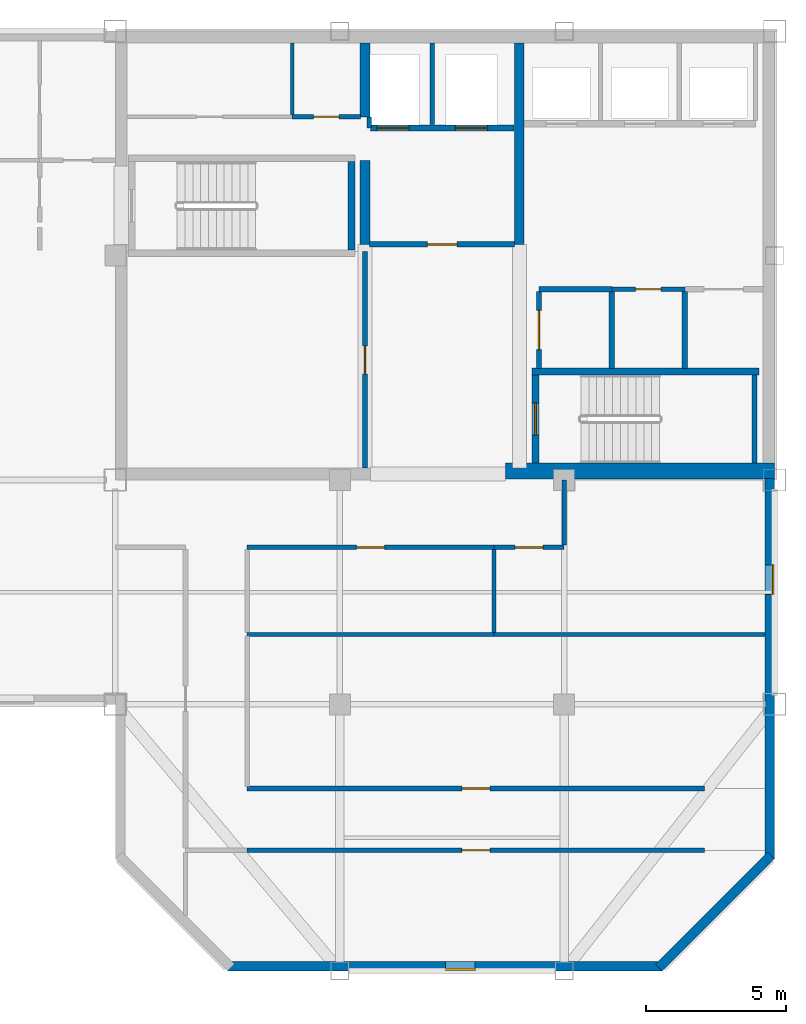
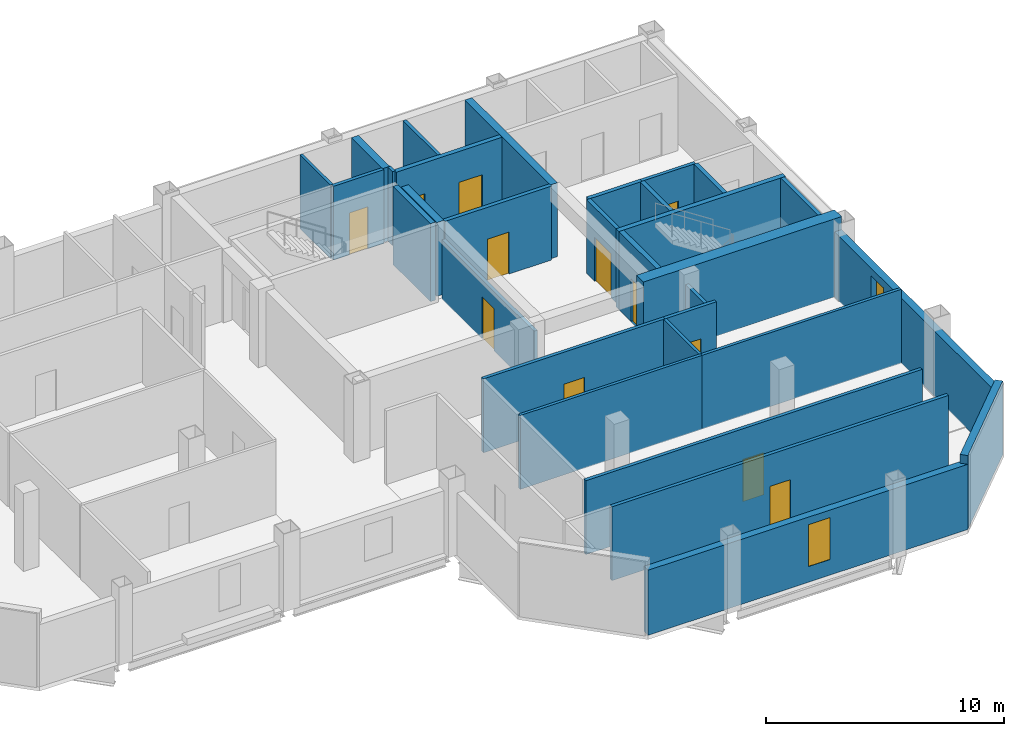
# One storey, part 3 of 7: 31 walls, 12 doors, 2 windows, 14 openings.
"""IFC4 building model written with IfcOpenShell, lengths in metres."""

from ifc_helpers import new_model, si_unit, direction, frame, frame_2d, origin, place, context, subcontext, project, spatial, rectangle, extrude, material, layer, layer_set, type_object, element, fill, save


model = new_model("IFC4")

# Units and contexts
model_context = context("Model", 3, precision=1e-05, world=origin(), true_north=direction((0.0, 1.0)))
body_context = subcontext(model_context, "Body", "Model", "MODEL_VIEW")
ifc_project = project(units=[si_unit("LENGTHUNIT", "METRE"), si_unit("AREAUNIT", "SQUARE_METRE"), si_unit("VOLUMEUNIT", "CUBIC_METRE"), si_unit("PLANEANGLEUNIT", "RADIAN"), si_unit("MASSUNIT", "GRAM", prefix="KILO")], contexts=[model_context])

# Site, building, storey
site_placement = place(None, origin())
site = spatial("IfcSite", under=ifc_project, at=site_placement, CompositionType="ELEMENT")
building_placement = place(site_placement, origin())
building = spatial("IfcBuilding", under=site, at=building_placement, Name="Qianrong Seaharbour Tower", CompositionType="ELEMENT")
storey_placement = place(building_placement, frame((0.0, 0.0, 339.199951171875)))
storey = spatial("IfcBuildingStorey", under=building, at=storey_placement, Name="L82", CompositionType="ELEMENT", Elevation=339.199951171875)

# Walls
ifc_material_1 = material(Name="Concrete C70/85", Category="concrete")
ifc_layer_1 = layer(ifc_material_1, 0.580078125)
ifc_layer_set_1 = layer_set([ifc_layer_1], Name="Concrete C70/85")
wall_type_1 = type_object("IfcWallType", Name="WALL-CORE-580", PredefinedType="SHEAR", material=ifc_layer_set_1)
wall_1_placement = place(storey_placement, frame((54.39990234375, 36.320068359375, 0.0), z_axis=(0.0, 0.0, 1.0), x_axis=(1.0, 0.0, 0.0)))
element("IfcWall", 1, at=wall_1_placement, inside=storey, type_object=wall_type_1, Name="L82 South Core Shear Wall S3", PredefinedType="SHEAR", context=body_context, shape_type="SweptSolid", body=[
    extrude(rectangle(XDim=9.60009765625, YDim=0.580078125, at=frame_2d((4.800048828125, 0.0))), origin(), (0.0, 0.0, 1.0), 4.0),
])
ifc_material_2 = material(Name="Concrete C50/60", Category="concrete")
ifc_layer_2 = layer(ifc_material_2, 0.35009765625)
ifc_layer_set_2 = layer_set([ifc_layer_2], Name="Concrete C50/60")
wall_type_2 = type_object("IfcWallType", Name="WALL-CORE-INT-350", PredefinedType="SHEAR", material=ifc_layer_set_2)
wall_2_placement = place(storey_placement, frame((49.39990234375, 44.39990234375, 0.0), z_axis=(0.0, 0.0, 1.0), x_axis=(0.0, 1.0, 0.0)))
element("IfcWall", 2, at=wall_2_placement, inside=storey, type_object=wall_type_2, Name="L82 Internal Core Shear Wall IW1N1", PredefinedType="SHEAR", context=body_context, shape_type="SweptSolid", body=[
    extrude(rectangle(XDim=3.0, YDim=0.35009765625, at=frame_2d((1.5, 0.0))), origin(), (0.0, 0.0, 1.0), 3.78515625),
])
wall_3_placement = place(storey_placement, frame((49.39990234375, 48.949951171875, 0.0), z_axis=(0.0, 0.0, 1.0), x_axis=(0.0, 1.0, 0.0)))
element("IfcWall", 3, at=wall_3_placement, inside=storey, type_object=wall_type_2, Name="L82 Internal Core Shear Wall IW1N2", PredefinedType="SHEAR", context=body_context, shape_type="SweptSolid", body=[
    extrude(rectangle(XDim=2.630126953125, YDim=0.35009765625, at=frame_2d((1.31494140625, 0.0))), origin(), (0.0, 0.0, 1.0), 3.78515625),
])
wall_4_placement = place(storey_placement, frame((54.89990234375, 44.39990234375, 0.0), z_axis=(0.0, 0.0, 1.0), x_axis=(0.0, 1.0, 0.0)))
element("IfcWall", 4, at=wall_4_placement, inside=storey, type_object=wall_type_2, Name="L82 Internal Core Shear Wall IW2N", PredefinedType="SHEAR", context=body_context, shape_type="SweptSolid", body=[
    extrude(rectangle(XDim=7.18017578125, YDim=0.35009765625, at=frame_2d((3.590087890625, 0.0))), origin(), (0.0, 0.0, 1.0), 3.78515625),
])

# Wall, opening, door
ifc_material_3 = material(Name="Fire-rated acoustic gypsum board partition")
ifc_layer_3 = layer(ifc_material_3, 0.1650390625)
ifc_layer_set_3 = layer_set([ifc_layer_3], Name="Fire-rated acoustic gypsum board partition")
wall_type_3 = type_object("IfcWallType", Name="WALL-CORR-PART-165", PredefinedType="PARTITIONING", material=ifc_layer_set_3)
wall_5_placement = place(storey_placement, frame((46.800048828125, 48.949951171875, 0.0), z_axis=(0.0, 0.0, 1.0), x_axis=(1.0, 0.0, 0.0)))
wall_5 = element("IfcWall", 5, at=wall_5_placement, inside=storey, type_object=wall_type_3, Name="L82 Interior Partition Wall 008", PredefinedType="PARTITIONING", context=body_context, shape_type="SweptSolid", body=[
    extrude(rectangle(XDim=2.432861328125, YDim=0.1650390625, at=frame_2d((1.21630859375, 0.0))), origin(), (0.0, 0.0, 1.0), 3.78515625),
])
opening_1_placement = place(wall_5_placement, frame((0.7666015625, 0.0, 0.0)))
opening_1 = element("IfcOpeningElement", 6, at=opening_1_placement, cuts=wall_5, Name="Opening DS-01", PredefinedType="OPENING", context=body_context, shape_type="SweptSolid", body=[
    extrude(rectangle(XDim=0.89990234375, YDim=2.14990234375, at=frame_2d((0.449951171875, 1.074951171875))), frame((0.0, 0.092529296875, 0.0), z_axis=(0.0, -1.0, 0.0), x_axis=(1.0, 0.0, 0.0)), (0.0, 0.0, 1.0), 0.18505859375),
])
ifc_material_4 = material(Name="Acoustic timber and galvanized steel fire door assembly", Category="steel")
door_type_1 = type_object("IfcDoorType", Name="DOOR-STORE-900x2150", OperationType="NOTDEFINED", PredefinedType="DOOR", material=ifc_material_4)
door_1_placement = place(opening_1_placement, origin())
door_1 = element("IfcDoor", 7, at=door_1_placement, inside=storey, type_object=door_type_1, Name="L82 Janitor Store Room Door", OperationType="SINGLE_SWING_RIGHT", OverallHeight=2.14990234375, OverallWidth=0.89990234375, PredefinedType="DOOR", context=body_context, shape_type="SweptSolid", body=[
    extrude(rectangle(XDim=0.89990234375, YDim=2.14990234375, at=frame_2d((0.449951171875, 1.074951171875))), frame((0.0, 0.02490234375, 0.0), z_axis=(0.0, -1.0, 0.0), x_axis=(1.0, 0.0, 0.0)), (0.0, 0.0, 1.0), 0.050048828125),
])
fill(opening_1, door_1)

wall_6_placement = place(storey_placement, frame((49.39990234375, 36.419921875, 0.0), z_axis=(0.0, 0.0, 1.0), x_axis=(0.0, 1.0, 0.0)))
wall_6 = element("IfcWall", 8, at=wall_6_placement, inside=storey, type_object=wall_type_3, Name="L82 Interior Partition Wall 010", PredefinedType="PARTITIONING", context=body_context, shape_type="SweptSolid", body=[
    extrude(rectangle(XDim=7.72998046875, YDim=0.1650390625, at=frame_2d((3.864990234375, 0.0))), origin(), (0.0, 0.0, 1.0), 3.027099609375),
])
opening_2_placement = place(wall_6_placement, frame((3.364990234375, 0.0, 0.0)))
opening_2 = element("IfcOpeningElement", 9, at=opening_2_placement, cuts=wall_6, Name="Opening DO-01", PredefinedType="OPENING", context=body_context, shape_type="SweptSolid", body=[
    extrude(rectangle(XDim=1.0, YDim=2.14990234375, at=frame_2d((0.5, 1.074951171875))), frame((0.0, 0.092529296875, 0.0), z_axis=(0.0, -1.0, 0.0), x_axis=(1.0, 0.0, 0.0)), (0.0, 0.0, 1.0), 0.18505859375),
])
door_type_2 = type_object("IfcDoorType", Name="DOOR-OFFICE-1000x2150", OperationType="NOTDEFINED", PredefinedType="DOOR", material=ifc_material_4)
door_2_placement = place(opening_2_placement, origin())
door_2 = element("IfcDoor", 10, at=door_2_placement, inside=storey, type_object=door_type_2, Name="L82 Data Systems Office Door", OperationType="SINGLE_SWING_RIGHT", OverallHeight=2.14990234375, OverallWidth=1.0, PredefinedType="DOOR", context=body_context, shape_type="SweptSolid", body=[
    extrude(rectangle(XDim=1.0, YDim=2.14990234375, at=frame_2d((0.5, 1.074951171875))), frame((0.0, 0.02490234375, 0.0), z_axis=(0.0, -1.0, 0.0), x_axis=(1.0, 0.0, 0.0)), (0.0, 0.0, 1.0), 0.050048828125),
])
fill(opening_2, door_2)

wall_7_placement = place(storey_placement, frame((60.800048828125, 42.800048828125, 0.0), z_axis=(0.0, 0.0, 1.0), x_axis=(-1.0, 0.0, 0.0)))
wall_7 = element("IfcWall", 11, at=wall_7_placement, inside=storey, type_object=wall_type_3, Name="L82 Interior Partition Wall 013", PredefinedType="PARTITIONING", context=body_context, shape_type="SweptSolid", body=[
    extrude(rectangle(XDim=2.60009765625, YDim=0.1650390625, at=frame_2d((1.300048828125, 0.0))), origin(), (0.0, 0.0, 1.0), 3.78515625),
])
opening_3_placement = place(wall_7_placement, frame((0.85009765625, 0.0, 0.0)))
opening_3 = element("IfcOpeningElement", 12, at=opening_3_placement, cuts=wall_7, Name="Opening DS-01", PredefinedType="OPENING", context=body_context, shape_type="SweptSolid", body=[
    extrude(rectangle(XDim=0.89990234375, YDim=2.14990234375, at=frame_2d((0.449951171875, 1.074951171875))), frame((0.0, 0.092529296875, 0.0), z_axis=(0.0, -1.0, 0.0), x_axis=(1.0, 0.0, 0.0)), (0.0, 0.0, 1.0), 0.18505859375),
])
door_3_placement = place(opening_3_placement, origin())
door_3 = element("IfcDoor", 13, at=door_3_placement, inside=storey, type_object=door_type_1, Name="L82 Supply Store Room Door", OperationType="SINGLE_SWING_LEFT", OverallHeight=2.14990234375, OverallWidth=0.89990234375, PredefinedType="DOOR", context=body_context, shape_type="SweptSolid", body=[
    extrude(rectangle(XDim=0.89990234375, YDim=2.14990234375, at=frame_2d((0.449951171875, 1.074951171875))), frame((0.0, 0.02490234375, 0.0), z_axis=(0.0, -1.0, 0.0), x_axis=(1.0, 0.0, 0.0)), (0.0, 0.0, 1.0), 0.050048828125),
])
fill(opening_3, door_3)

wall_8_placement = place(storey_placement, frame((54.0, 33.60009765625, 0.0), z_axis=(0.0, 0.0, 1.0), x_axis=(-1.0, 0.0, 0.0)))
wall_8 = element("IfcWall", 14, at=wall_8_placement, inside=storey, type_object=wall_type_3, Name="L82 Interior Partition Wall 025", PredefinedType="PARTITIONING", context=body_context, shape_type="SweptSolid", body=[
    extrude(rectangle(XDim=8.800048828125, YDim=0.1650390625, at=frame_2d((4.39990234375, 0.0))), origin(), (0.0, 0.0, 1.0), 3.78515625),
])
opening_4_placement = place(wall_8_placement, frame((3.89990234375, 0.0, 0.0)))
opening_4 = element("IfcOpeningElement", 15, at=opening_4_placement, cuts=wall_8, Name="Opening DO-01", PredefinedType="OPENING", context=body_context, shape_type="SweptSolid", body=[
    extrude(rectangle(XDim=1.0, YDim=2.14990234375, at=frame_2d((0.5, 1.074951171875))), frame((0.0, 0.092529296875, 0.0), z_axis=(0.0, -1.0, 0.0), x_axis=(1.0, 0.0, 0.0)), (0.0, 0.0, 1.0), 0.18505859375),
])
door_4_placement = place(opening_4_placement, origin())
door_4 = element("IfcDoor", 16, at=door_4_placement, inside=storey, type_object=door_type_2, Name="L82 Wellness Room 1 Door", OperationType="SINGLE_SWING_RIGHT", OverallHeight=2.14990234375, OverallWidth=1.0, PredefinedType="DOOR", context=body_context, shape_type="SweptSolid", body=[
    extrude(rectangle(XDim=1.0, YDim=2.14990234375, at=frame_2d((0.5, 1.074951171875))), frame((0.0, 0.02490234375, 0.0), z_axis=(0.0, -1.0, 0.0), x_axis=(1.0, 0.0, 0.0)), (0.0, 0.0, 1.0), 0.050048828125),
])
fill(opening_4, door_4)

# Wall
wall_9_placement = place(storey_placement, frame((56.5, 36.0, 0.0), z_axis=(0.0, 0.0, 1.0), x_axis=(0.0, -1.0, 0.0)))
element("IfcWall", 17, at=wall_9_placement, inside=storey, type_object=wall_type_3, Name="L82 Interior Partition Wall 026", PredefinedType="PARTITIONING", context=body_context, shape_type="SweptSolid", body=[
    extrude(rectangle(XDim=2.325439453125, YDim=0.1650390625, at=frame_2d((1.16259765625, 0.0))), origin(), (0.0, 0.0, 1.0), 3.177001953125),
])

# Wall, opening, door
wall_10_placement = place(storey_placement, frame((56.5, 33.60009765625, 0.0), z_axis=(0.0, 0.0, 1.0), x_axis=(-1.0, 0.0, 0.0)))
wall_10 = element("IfcWall", 18, at=wall_10_placement, inside=storey, type_object=wall_type_3, Name="L82 Interior Partition Wall 027", PredefinedType="PARTITIONING", context=body_context, shape_type="SweptSolid", body=[
    extrude(rectangle(XDim=2.5, YDim=0.1650390625, at=frame_2d((1.25, 0.0))), origin(), (0.0, 0.0, 1.0), 3.78515625),
])
opening_5_placement = place(wall_10_placement, frame((0.75, 0.0, 0.0)))
opening_5 = element("IfcOpeningElement", 19, at=opening_5_placement, cuts=wall_10, Name="Opening DO-01", PredefinedType="OPENING", context=body_context, shape_type="SweptSolid", body=[
    extrude(rectangle(XDim=1.0, YDim=2.14990234375, at=frame_2d((0.5, 1.074951171875))), frame((0.0, 0.092529296875, 0.0), z_axis=(0.0, -1.0, 0.0), x_axis=(1.0, 0.0, 0.0)), (0.0, 0.0, 1.0), 0.18505859375),
])
door_5_placement = place(opening_5_placement, origin())
door_5 = element("IfcDoor", 20, at=door_5_placement, inside=storey, type_object=door_type_2, Name="L82 Health Director Office 2 Door", OperationType="SINGLE_SWING_LEFT", OverallHeight=2.14990234375, OverallWidth=1.0, PredefinedType="DOOR", context=body_context, shape_type="SweptSolid", body=[
    extrude(rectangle(XDim=1.0, YDim=2.14990234375, at=frame_2d((0.5, 1.074951171875))), frame((0.0, 0.02490234375, 0.0), z_axis=(0.0, -1.0, 0.0), x_axis=(1.0, 0.0, 0.0)), (0.0, 0.0, 1.0), 0.050048828125),
])
fill(opening_5, door_5)

wall_11_placement = place(storey_placement, frame((61.5, 22.800048828125, 0.0), z_axis=(0.0, 0.0, 1.0), x_axis=(-1.0, 0.0, 0.0)))
wall_11 = element("IfcWall", 21, at=wall_11_placement, inside=storey, type_object=wall_type_3, Name="L82 Interior Partition Wall 033", PredefinedType="PARTITIONING", context=body_context, shape_type="SweptSolid", body=[
    extrude(rectangle(XDim=16.300048828125, YDim=0.1650390625, at=frame_2d((8.14990234375, 0.0))), origin(), (0.0, 0.0, 1.0), 3.78515625),
])
opening_6_placement = place(wall_11_placement, frame((7.64990234375, 0.0, 0.0)))
opening_6 = element("IfcOpeningElement", 22, at=opening_6_placement, cuts=wall_11, Name="Opening DO-01", PredefinedType="OPENING", context=body_context, shape_type="SweptSolid", body=[
    extrude(rectangle(XDim=1.0, YDim=2.14990234375, at=frame_2d((0.5, 1.074951171875))), frame((0.0, 0.092529296875, 0.0), z_axis=(0.0, -1.0, 0.0), x_axis=(1.0, 0.0, 0.0)), (0.0, 0.0, 1.0), 0.18505859375),
])
door_6_placement = place(opening_6_placement, origin())
door_6 = element("IfcDoor", 23, at=door_6_placement, inside=storey, type_object=door_type_2, Name="L82 South Tip Open-Plan Office Door", OperationType="SINGLE_SWING_RIGHT", OverallHeight=2.14990234375, OverallWidth=1.0, PredefinedType="DOOR", context=body_context, shape_type="SweptSolid", body=[
    extrude(rectangle(XDim=1.0, YDim=2.14990234375, at=frame_2d((0.5, 1.074951171875))), frame((0.0, 0.02490234375, 0.0), z_axis=(0.0, -1.0, 0.0), x_axis=(1.0, 0.0, 0.0)), (0.0, 0.0, 1.0), 0.050048828125),
])
fill(opening_6, door_6)

wall_12_placement = place(storey_placement, frame((45.199951171875, 25.0, 0.0), z_axis=(0.0, 0.0, 1.0), x_axis=(1.0, 0.0, 0.0)))
wall_12 = element("IfcWall", 24, at=wall_12_placement, inside=storey, type_object=wall_type_3, Name="L82 Interior Partition Wall 034", PredefinedType="PARTITIONING", context=body_context, shape_type="SweptSolid", body=[
    extrude(rectangle(XDim=16.300048828125, YDim=0.1650390625, at=frame_2d((8.14990234375, 0.0))), origin(), (0.0, 0.0, 1.0), 3.78515625),
])
opening_7_placement = place(wall_12_placement, frame((7.64990234375, 0.0, 0.0)))
opening_7 = element("IfcOpeningElement", 25, at=opening_7_placement, cuts=wall_12, Name="Opening DO-01", PredefinedType="OPENING", context=body_context, shape_type="SweptSolid", body=[
    extrude(rectangle(XDim=1.0, YDim=2.14990234375, at=frame_2d((0.5, 1.074951171875))), frame((0.0, 0.092529296875, 0.0), z_axis=(0.0, -1.0, 0.0), x_axis=(1.0, 0.0, 0.0)), (0.0, 0.0, 1.0), 0.18505859375),
])
door_7_placement = place(opening_7_placement, origin())
door_7 = element("IfcDoor", 26, at=door_7_placement, inside=storey, type_object=door_type_2, Name="L82 Operations Open-Plan Office Door", OperationType="SINGLE_SWING_LEFT", OverallHeight=2.14990234375, OverallWidth=1.0, PredefinedType="DOOR", context=body_context, shape_type="SweptSolid", body=[
    extrude(rectangle(XDim=1.0, YDim=2.14990234375, at=frame_2d((0.5, 1.074951171875))), frame((0.0, 0.02490234375, 0.0), z_axis=(0.0, -1.0, 0.0), x_axis=(1.0, 0.0, 0.0)), (0.0, 0.0, 1.0), 0.050048828125),
])
fill(opening_7, door_7)

# Wall, opening, window
ifc_material_5 = material(Name="Unitised buff brick on Precast concrete C45/55", Category="masonry")
ifc_layer_4 = layer(ifc_material_5, 0.340087890625)
ifc_layer_set_4 = layer_set([ifc_layer_4], Name="Unitised buff brick on Precast concrete C45/55")
wall_type_4 = type_object("IfcWallType", Name="WALL-EXT-BRICK-BUFF-340", PredefinedType="SOLIDWALL", material=ifc_layer_set_4)
wall_13_placement = place(storey_placement, frame((63.830078125, 36.050048828125, 0.0), z_axis=(0.0, 0.0, 1.0), x_axis=(0.0, -1.0, 0.0)))
wall_13 = element("IfcWall", 27, at=wall_13_placement, inside=storey, type_object=wall_type_4, Name="L82 Exterior Masonry Facade Wall EAST_WING", PredefinedType="SOLIDWALL", context=body_context, shape_type="SweptSolid", body=[
    extrude(rectangle(XDim=13.550048828125, YDim=0.340087890625, at=frame_2d((6.77490234375, 0.0))), origin(), (0.0, 0.0, 1.0), 3.3349609375),
])
opening_8_placement = place(wall_13_placement, frame((3.074951171875, 0.0, 0.800048828125)))
opening_8 = element("IfcOpeningElement", 28, at=opening_8_placement, cuts=wall_13, Name="Opening WN-14", PredefinedType="OPENING", context=body_context, shape_type="SweptSolid", body=[
    extrude(rectangle(XDim=1.050048828125, YDim=2.14990234375, at=frame_2d((0.52490234375, 1.074951171875))), frame((0.0, 0.18017578125, 0.0), z_axis=(0.0, -1.0, 0.0), x_axis=(1.0, 0.0, 0.0)), (0.0, 0.0, 1.0), 0.360107421875),
])
ifc_material_6 = material(Name="Insulated low-e double glazing in thermally broken aluminium 6063-T6 frame", Category="aluminium")
window_type = type_object("IfcWindowType", Name="WIN-NARROW-1050x2150", PartitioningType="SINGLE_PANEL", PredefinedType="WINDOW", material=ifc_material_6)
window_1_placement = place(opening_8_placement, origin())
window_1 = element("IfcWindow", 29, at=window_1_placement, inside=storey, type_object=window_type, Name="L82 Deep-Set Punched Window 06.01", OverallHeight=2.14990234375, OverallWidth=1.050048828125, PartitioningType="SINGLE_PANEL", PredefinedType="WINDOW", context=body_context, shape_type="SweptSolid", body=[
    extrude(rectangle(XDim=1.050048828125, YDim=2.14990234375, at=frame_2d((0.52490234375, 1.074951171875))), frame((0.0, 0.150146484375, 0.0), z_axis=(0.0, -1.0, 0.0), x_axis=(1.0, 0.0, 0.0)), (0.0, 0.0, 1.0), 0.06005859375),
])
fill(opening_8, window_1)

# Wall
wall_14_placement = place(storey_placement, frame((63.8798828125, 22.6201171875, 0.0), z_axis=(0.0, 0.0, 1.0), x_axis=(-0.707106781187, -0.707106781187, 0.0)))
element("IfcWall", 30, at=wall_14_placement, inside=storey, type_object=wall_type_4, Name="L82 Exterior Masonry Facade Wall E07", PredefinedType="SOLIDWALL", context=body_context, shape_type="SweptSolid", body=[
    extrude(rectangle(XDim=5.65673828125, YDim=0.340087890625, at=frame_2d((2.828369140625, 0.0))), origin(), (0.0, 0.0, 1.0), 3.78515625),
])

# Wall, opening, window
wall_15_placement = place(storey_placement, frame((60.0, 18.669921875, 0.0), z_axis=(0.0, 0.0, 1.0), x_axis=(-1.0, 0.0, 0.0)))
wall_15 = element("IfcWall", 31, at=wall_15_placement, inside=storey, type_object=wall_type_4, Name="L82 Exterior Masonry Facade Wall SOUTH_TIP", PredefinedType="SOLIDWALL", context=body_context, shape_type="SweptSolid", body=[
    extrude(rectangle(XDim=15.5, YDim=0.340087890625, at=frame_2d((7.75, 0.0))), origin(), (0.0, 0.0, 1.0), 3.3349609375),
])
opening_9_placement = place(wall_15_placement, frame((6.675048828125, 0.0, 0.800048828125)))
opening_9 = element("IfcOpeningElement", 32, at=opening_9_placement, cuts=wall_15, Name="Opening WN-14", PredefinedType="OPENING", context=body_context, shape_type="SweptSolid", body=[
    extrude(rectangle(XDim=1.050048828125, YDim=2.14990234375, at=frame_2d((0.52490234375, 1.074951171875))), frame((0.0, 0.18017578125, 0.0), z_axis=(0.0, -1.0, 0.0), x_axis=(1.0, 0.0, 0.0)), (0.0, 0.0, 1.0), 0.360107421875),
])
window_2_placement = place(opening_9_placement, origin())
window_2 = element("IfcWindow", 33, at=window_2_placement, inside=storey, type_object=window_type, Name="L82 Deep-Set Punched Window 08.02", OverallHeight=2.14990234375, OverallWidth=1.050048828125, PartitioningType="SINGLE_PANEL", PredefinedType="WINDOW", context=body_context, shape_type="SweptSolid", body=[
    extrude(rectangle(XDim=1.050048828125, YDim=2.14990234375, at=frame_2d((0.52490234375, 1.074951171875))), frame((0.0, 0.150146484375, 0.0), z_axis=(0.0, -1.0, 0.0), x_axis=(1.0, 0.0, 0.0)), (0.0, 0.0, 1.0), 0.06005859375),
])
fill(opening_9, window_2)

# Wall, opening, door
ifc_material_7 = material(Name="Double fire-rated gypsum board acoustic partition")
ifc_layer_5 = layer(ifc_material_7, 0.18994140625)
ifc_layer_set_5 = layer_set([ifc_layer_5], Name="Double fire-rated gypsum board acoustic partition")
wall_type_5 = type_object("IfcWallType", Name="WALL-FIRE-PART-190", PredefinedType="PARTITIONING", material=ifc_layer_set_5)
wall_16_placement = place(storey_placement, frame((54.73291015625, 44.39990234375, 0.0), z_axis=(0.0, 0.0, 1.0), x_axis=(-1.0, 0.0, 0.0)))
wall_16 = element("IfcWall", 34, at=wall_16_placement, inside=storey, type_object=wall_type_5, Name="L82 Interior Partition Wall 009", PredefinedType="PARTITIONING", context=body_context, shape_type="SweptSolid", body=[
    extrude(rectangle(XDim=5.166015625, YDim=0.18994140625, at=frame_2d((2.5830078125, 0.0))), origin(), (0.0, 0.0, 1.0), 3.78515625),
])
opening_10_placement = place(wall_16_placement, frame((2.05810546875, 0.0, 0.0)))
opening_10 = element("IfcOpeningElement", 35, at=opening_10_placement, cuts=wall_16, Name="Opening DC-01", PredefinedType="OPENING", context=body_context, shape_type="SweptSolid", body=[
    extrude(rectangle(XDim=1.050048828125, YDim=2.14990234375, at=frame_2d((0.52490234375, 1.074951171875))), frame((0.0, 0.10498046875, 0.0), z_axis=(0.0, -1.0, 0.0), x_axis=(1.0, 0.0, 0.0)), (0.0, 0.0, 1.0), 0.2099609375),
])
door_type_3 = type_object("IfcDoorType", Name="DOOR-CORR-FD60-1050x2150", OperationType="NOTDEFINED", PredefinedType="DOOR", material=ifc_material_4)
door_8_placement = place(opening_10_placement, origin())
door_8 = element("IfcDoor", 36, at=door_8_placement, inside=storey, type_object=door_type_3, Name="L82 Firefighting Lift Lobby Door", OperationType="SINGLE_SWING_LEFT", OverallHeight=2.14990234375, OverallWidth=1.050048828125, PredefinedType="DOOR", context=body_context, shape_type="SweptSolid", body=[
    extrude(rectangle(XDim=1.050048828125, YDim=2.14990234375, at=frame_2d((0.52490234375, 1.074951171875))), frame((0.0, 0.02490234375, 0.0), z_axis=(0.0, -1.0, 0.0), x_axis=(1.0, 0.0, 0.0)), (0.0, 0.0, 1.0), 0.050048828125),
])
fill(opening_10, door_8)

wall_17_placement = place(storey_placement, frame((55.60009765625, 42.712890625, 0.0), z_axis=(0.0, 0.0, 1.0), x_axis=(0.0, -1.0, 0.0)))
wall_17 = element("IfcWall", 37, at=wall_17_placement, inside=storey, type_object=wall_type_5, Name="L82 Interior Partition Wall 011", PredefinedType="PARTITIONING", context=body_context, shape_type="SweptSolid", body=[
    extrude(rectangle(XDim=2.73095703125, YDim=0.18994140625, at=frame_2d((1.365478515625, 0.0))), origin(), (0.0, 0.0, 1.0), 3.78515625),
])
opening_11_placement = place(wall_17_placement, frame((0.66552734375, 0.0, 0.0)))
opening_11 = element("IfcOpeningElement", 38, at=opening_11_placement, cuts=wall_17, Name="Opening DP-01", PredefinedType="OPENING", context=body_context, shape_type="SweptSolid", body=[
    extrude(rectangle(XDim=1.39990234375, YDim=2.25, at=frame_2d((0.699951171875, 1.125))), frame((0.0, 0.10498046875, 0.0), z_axis=(0.0, -1.0, 0.0), x_axis=(1.0, 0.0, 0.0)), (0.0, 0.0, 1.0), 0.2099609375),
])
door_type_4 = type_object("IfcDoorType", Name="DOOR-PLANT-PAIR-1400x2250", OperationType="DOUBLE_DOOR_SINGLE_SWING", PredefinedType="DOOR", material=ifc_material_4)
door_9_placement = place(opening_11_placement, origin())
door_9 = element("IfcDoor", 39, at=door_9_placement, inside=storey, type_object=door_type_4, Name="L82 Core Telecom Room Door", OperationType="DOUBLE_DOOR_SINGLE_SWING", OverallHeight=2.25, OverallWidth=1.39990234375, PredefinedType="DOOR", context=body_context, shape_type="SweptSolid", body=[
    extrude(rectangle(XDim=1.39990234375, YDim=2.25, at=frame_2d((0.699951171875, 1.125))), frame((0.0, 0.02490234375, 0.0), z_axis=(0.0, -1.0, 0.0), x_axis=(1.0, 0.0, 0.0)), (0.0, 0.0, 1.0), 0.050048828125),
])
fill(opening_11, door_9)

# Walls
wall_18_placement = place(storey_placement, frame((58.199951171875, 42.800048828125, 0.0), z_axis=(0.0, 0.0, 1.0), x_axis=(-1.0, 0.0, 0.0)))
element("IfcWall", 40, at=wall_18_placement, inside=storey, type_object=wall_type_5, Name="L82 Interior Partition Wall 012", PredefinedType="PARTITIONING", context=body_context, shape_type="SweptSolid", body=[
    extrude(rectangle(XDim=2.599853515625, YDim=0.18994140625, at=frame_2d((1.2998046875, 0.0))), origin(), (0.0, 0.0, 1.0), 3.78515625),
])
for number, where, z_axis, x_axis, name in (
    (41, (58.199951171875, 42.712890625, 0.0), (0.0, 0.0, 1.0), (0.0, -1.0, 0.0), "L82 Interior Partition Wall 016"),
    (42, (60.800048828125, 42.712890625, 0.0), (0.0, 0.0, 1.0), (0.0, -1.0, 0.0), "L82 Interior Partition Wall 017"),
):
    element("IfcWall", number, at=place(storey_placement, frame(where, z_axis=z_axis, x_axis=x_axis)), inside=storey, type_object=wall_type_5, Name=name, PredefinedType="PARTITIONING", context=body_context, shape_type="SweptSolid", body=[
        extrude(rectangle(XDim=2.73095703125, YDim=0.18994140625, at=frame_2d((1.365478515625, 0.0))), origin(), (0.0, 0.0, 1.0), 3.78515625),
    ])
ifc_material_8 = material(Name="Acoustic gypsum board stud partition")
ifc_layer_6 = layer(ifc_material_8, 0.14501953125)
ifc_layer_set_6 = layer_set([ifc_layer_6], Name="Acoustic gypsum board stud partition")
wall_type_6 = type_object("IfcWallType", Name="WALL-OFFICE-PART-145", PredefinedType="PARTITIONING", material=ifc_layer_set_6)
wall_19_placement = place(storey_placement, frame((45.199951171875, 30.5, 0.0), z_axis=(0.0, 0.0, 1.0), x_axis=(1.0, 0.0, 0.0)))
element("IfcWall", 43, at=wall_19_placement, inside=storey, type_object=wall_type_6, Name="L82 Interior Partition Wall 036", PredefinedType="PARTITIONING", context=body_context, shape_type="SweptSolid", body=[
    extrude(rectangle(XDim=8.800048828125, YDim=0.14501953125, at=frame_2d((4.39990234375, 0.0))), origin(), (0.0, 0.0, 1.0), 3.78515625),
])
wall_20_placement = place(storey_placement, frame((54.0, 30.5, 0.0), z_axis=(0.0, 0.0, 1.0), x_axis=(1.0, 0.0, 0.0)))
element("IfcWall", 44, at=wall_20_placement, inside=storey, type_object=wall_type_6, Name="L82 Interior Partition Wall 037", PredefinedType="PARTITIONING", context=body_context, shape_type="SweptSolid", body=[
    extrude(rectangle(XDim=9.66796875, YDim=0.14501953125, at=frame_2d((4.833984375, 0.0))), origin(), (0.0, 0.0, 1.0), 3.78515625),
])
wall_21_placement = place(storey_placement, frame((54.0, 33.525390625, 0.0), z_axis=(0.0, 0.0, 1.0), x_axis=(0.0, -1.0, 0.0)))
element("IfcWall", 45, at=wall_21_placement, inside=storey, type_object=wall_type_6, Name="L82 Interior Partition Wall 038", PredefinedType="PARTITIONING", context=body_context, shape_type="SweptSolid", body=[
    extrude(rectangle(XDim=2.9609375, YDim=0.14501953125, at=frame_2d((1.48046875, 0.0))), origin(), (0.0, 0.0, 1.0), 3.78515625),
])
ifc_material_9 = material(Name="Fire-rated gypsum board on steel studs", Category="steel")
ifc_layer_7 = layer(ifc_material_9, 0.14990234375)
ifc_layer_set_7 = layer_set([ifc_layer_7], Name="Fire-rated gypsum board on steel studs")
wall_type_7 = type_object("IfcWallType", Name="WALL-SHAFT-DIV-150", PredefinedType="PARTITIONING", material=ifc_layer_set_7)
wall_22_placement = place(storey_placement, frame((51.800048828125, 48.669921875, 0.0), z_axis=(0.0, 0.0, 1.0), x_axis=(0.0, 1.0, 0.0)))
element("IfcWall", 46, at=wall_22_placement, inside=storey, type_object=wall_type_7, Name="L82 Firefighting Lift Shaft Divider Wall", PredefinedType="PARTITIONING", context=body_context, shape_type="SweptSolid", body=[
    extrude(rectangle(XDim=2.91015625, YDim=0.14990234375, at=frame_2d((1.455078125, 0.0))), origin(), (0.0, 0.0, 1.0), 3.78515625),
])
wall_23_placement = place(storey_placement, frame((49.550048828125, 48.550048828125, 0.0), z_axis=(0.0, 0.0, 1.0), x_axis=(0.0, 1.0, 0.0)))
element("IfcWall", 47, at=wall_23_placement, inside=storey, type_object=wall_type_7, Name="L82 Firefighting Lift Shaft West Return Wall", PredefinedType="PARTITIONING", context=body_context, shape_type="SweptSolid", body=[
    extrude(rectangle(XDim=0.39990234375, YDim=0.14990234375, at=frame_2d((0.199951171875, 0.0))), origin(), (0.0, 0.0, 1.0), 3.78515625),
])

# Wall, openings, doors
ifc_layer_8 = layer(ifc_material_9, 0.219970703125)
ifc_layer_set_8 = layer_set([ifc_layer_8], Name="Fire-rated gypsum board on steel studs")
wall_type_8 = type_object("IfcWallType", Name="WALL-SHAFT-GYP220", PredefinedType="PARTITIONING", material=ifc_layer_set_8)
wall_24_placement = place(storey_placement, frame((54.7099609375, 48.550048828125, 0.0), z_axis=(0.0, 0.0, 1.0), x_axis=(-1.0, 0.0, 0.0)))
wall_24 = element("IfcWall", 48, at=wall_24_placement, inside=storey, type_object=wall_type_8, Name="L82 Firefighting Lift Shaft Front Wall", PredefinedType="PARTITIONING", context=body_context, shape_type="SweptSolid", body=[
    extrude(rectangle(XDim=5.119873046875, YDim=0.219970703125, at=frame_2d((2.56005859375, 0.0))), origin(), (0.0, 0.0, 1.0), 3.78515625),
])
opening_12_placement = place(wall_24_placement, frame((3.735107421875, 0.0, 0.0)))
opening_12 = element("IfcOpeningElement", 49, at=opening_12_placement, cuts=wall_24, Name="Opening LD-01", PredefinedType="OPENING", context=body_context, shape_type="SweptSolid", body=[
    extrude(rectangle(XDim=1.14990234375, YDim=2.199951171875, at=frame_2d((0.574951171875, 1.10009765625))), frame((0.0, 0.1201171875, 0.0), z_axis=(0.0, -1.0, 0.0), x_axis=(1.0, 0.0, 0.0)), (0.0, 0.0, 1.0), 0.239990234375),
])
opening_13_placement = place(wall_24_placement, frame((0.93505859375, 0.0, 0.0)))
opening_13 = element("IfcOpeningElement", 50, at=opening_13_placement, cuts=wall_24, Name="Opening LD-01", PredefinedType="OPENING", context=body_context, shape_type="SweptSolid", body=[
    extrude(rectangle(XDim=1.14990234375, YDim=2.199951171875, at=frame_2d((0.574951171875, 1.10009765625))), frame((0.0, 0.1201171875, 0.0), z_axis=(0.0, -1.0, 0.0), x_axis=(1.0, 0.0, 0.0)), (0.0, 0.0, 1.0), 0.239990234375),
])
ifc_material_10 = material(Name="Stainless steel SUS316L bi-parting lift landing door", Category="steel")
door_type_5 = type_object("IfcDoorType", Name="DOOR-LIFT-FF-1150x2200", OperationType="DOUBLE_DOOR_SLIDING", PredefinedType="DOOR", material=ifc_material_10)
door_10_placement = place(opening_12_placement, origin())
door_10 = element("IfcDoor", 51, at=door_10_placement, inside=storey, type_object=door_type_5, Name="L82 FL-1 Firefighting Lift Landing Door", OperationType="DOUBLE_DOOR_SLIDING", OverallHeight=2.199951171875, OverallWidth=1.14990234375, PredefinedType="DOOR", context=body_context, shape_type="SweptSolid", body=[
    extrude(rectangle(XDim=1.14990234375, YDim=2.199951171875, at=frame_2d((0.574951171875, 1.10009765625))), frame((0.0, 0.02490234375, 0.0), z_axis=(0.0, -1.0, 0.0), x_axis=(1.0, 0.0, 0.0)), (0.0, 0.0, 1.0), 0.050048828125),
])
fill(opening_12, door_10)
door_11_placement = place(opening_13_placement, origin())
door_11 = element("IfcDoor", 52, at=door_11_placement, inside=storey, type_object=door_type_5, Name="L82 FL-2 Firefighting Lift Landing Door", OperationType="DOUBLE_DOOR_SLIDING", OverallHeight=2.199951171875, OverallWidth=1.14990234375, PredefinedType="DOOR", context=body_context, shape_type="SweptSolid", body=[
    extrude(rectangle(XDim=1.14990234375, YDim=2.199951171875, at=frame_2d((0.574951171875, 1.10009765625))), frame((0.0, 0.02490234375, 0.0), z_axis=(0.0, -1.0, 0.0), x_axis=(1.0, 0.0, 0.0)), (0.0, 0.0, 1.0), 0.050048828125),
])
fill(opening_13, door_11)

# Walls
ifc_layer_9 = layer(ifc_material_2, 0.239990234375)
ifc_layer_set_9 = layer_set([ifc_layer_9], Name="Concrete C50/60")
wall_type_9 = type_object("IfcWallType", Name="WALL-SHAFT-RC240", PredefinedType="SOLIDWALL", material=ifc_layer_set_9)
wall_25_placement = place(storey_placement, frame((48.919921875, 44.199951171875, 0.0), z_axis=(0.0, 0.0, 1.0), x_axis=(0.0, 1.0, 0.0)))
element("IfcWall", 53, at=wall_25_placement, inside=storey, type_object=wall_type_9, Name="L82 ST-1 Structural Stair Core Wall E", PredefinedType="SOLIDWALL", context=body_context, shape_type="SweptSolid", body=[
    extrude(rectangle(XDim=3.150146484375, YDim=0.239990234375, at=frame_2d((1.5751953125, 0.0))), origin(), (0.0, 0.0, 1.0), 4.0),
])
wall_26_placement = place(storey_placement, frame((55.360107421875, 39.8701171875, 0.0), z_axis=(0.0, 0.0, 1.0), x_axis=(1.0, 0.0, 0.0)))
element("IfcWall", 54, at=wall_26_placement, inside=storey, type_object=wall_type_9, Name="L82 ST-2 Structural Stair Core Wall N", PredefinedType="SOLIDWALL", context=body_context, shape_type="SweptSolid", body=[
    extrude(rectangle(XDim=8.079833984375, YDim=0.239990234375, at=frame_2d((4.0400390625, 0.0))), origin(), (0.0, 0.0, 1.0), 4.0),
])

# Wall, opening, door
wall_27_placement = place(storey_placement, frame((55.47998046875, 39.75, 0.0), z_axis=(0.0, 0.0, 1.0), x_axis=(0.0, -1.0, 0.0)))
wall_27 = element("IfcWall", 55, at=wall_27_placement, inside=storey, type_object=wall_type_9, Name="L82 ST-2 Structural Stair Core Wall W", PredefinedType="SOLIDWALL", context=body_context, shape_type="SweptSolid", body=[
    extrude(rectangle(XDim=3.14990234375, YDim=0.239990234375, at=frame_2d((1.574951171875, 0.0))), origin(), (0.0, 0.0, 1.0), 4.0),
])
opening_14_placement = place(wall_27_placement, frame((1.0, 0.0, 0.0)))
opening_14 = element("IfcOpeningElement", 56, at=opening_14_placement, cuts=wall_27, Name="Opening SD-01", PredefinedType="OPENING", context=body_context, shape_type="SweptSolid", body=[
    extrude(rectangle(XDim=1.14990234375, YDim=2.199951171875, at=frame_2d((0.574951171875, 1.10009765625))), frame((0.0, 0.1298828125, 0.0), z_axis=(0.0, -1.0, 0.0), x_axis=(1.0, 0.0, 0.0)), (0.0, 0.0, 1.0), 0.260009765625),
])
door_type_6 = type_object("IfcDoorType", Name="DOOR-STAIR-FD60-1150x2200", OperationType="NOTDEFINED", PredefinedType="DOOR", material=ifc_material_4)
door_12_placement = place(opening_14_placement, origin())
door_12 = element("IfcDoor", 57, at=door_12_placement, inside=storey, type_object=door_type_6, Name="L82 ST-2 Protected Stair Door", OperationType="SINGLE_SWING_LEFT", OverallHeight=2.199951171875, OverallWidth=1.14990234375, PredefinedType="DOOR", context=body_context, shape_type="SweptSolid", body=[
    extrude(rectangle(XDim=1.14990234375, YDim=2.199951171875, at=frame_2d((0.574951171875, 1.10009765625))), frame((0.0, 0.02490234375, 0.0), z_axis=(0.0, -1.0, 0.0), x_axis=(1.0, 0.0, 0.0)), (0.0, 0.0, 1.0), 0.050048828125),
])
fill(opening_14, door_12)

# Walls
wall_28_placement = place(storey_placement, frame((63.2900390625, 36.60009765625, 0.0), z_axis=(0.0, 0.0, 1.0), x_axis=(0.0, 1.0, 0.0)))
element("IfcWall", 58, at=wall_28_placement, inside=storey, type_object=wall_type_9, Name="L82 ST-2 Structural Stair Core Wall E", PredefinedType="SOLIDWALL", context=body_context, shape_type="SweptSolid", body=[
    extrude(rectangle(XDim=3.14990234375, YDim=0.179931640625, at=frame_2d((1.574951171875, 0.0))), origin(), (0.0, 0.0, 1.0), 4.0),
])
ifc_material_11 = material(Name="Water-resistant cement board sanitary partition")
ifc_layer_10 = layer(ifc_material_11, 0.1298828125)
ifc_layer_set_10 = layer_set([ifc_layer_10], Name="Water-resistant cement board sanitary partition")
wall_type_10 = type_object("IfcWallType", Name="WALL-WET-PART-130", PredefinedType="PARTITIONING", material=ifc_layer_set_10)
wall_29_placement = place(storey_placement, frame((46.800048828125, 51.580078125, 0.0), z_axis=(0.0, 0.0, 1.0), x_axis=(0.0, -1.0, 0.0)))
element("IfcWall", 59, at=wall_29_placement, inside=storey, type_object=wall_type_10, Name="L82 Interior Partition Wall 015", PredefinedType="PARTITIONING", context=body_context, shape_type="SweptSolid", body=[
    extrude(rectangle(XDim=2.5556640625, YDim=0.1298828125, at=frame_2d((1.27783203125, 0.0))), origin(), (0.0, 0.0, 1.0), 3.78515625),
])

save(model, "model.ifc")
